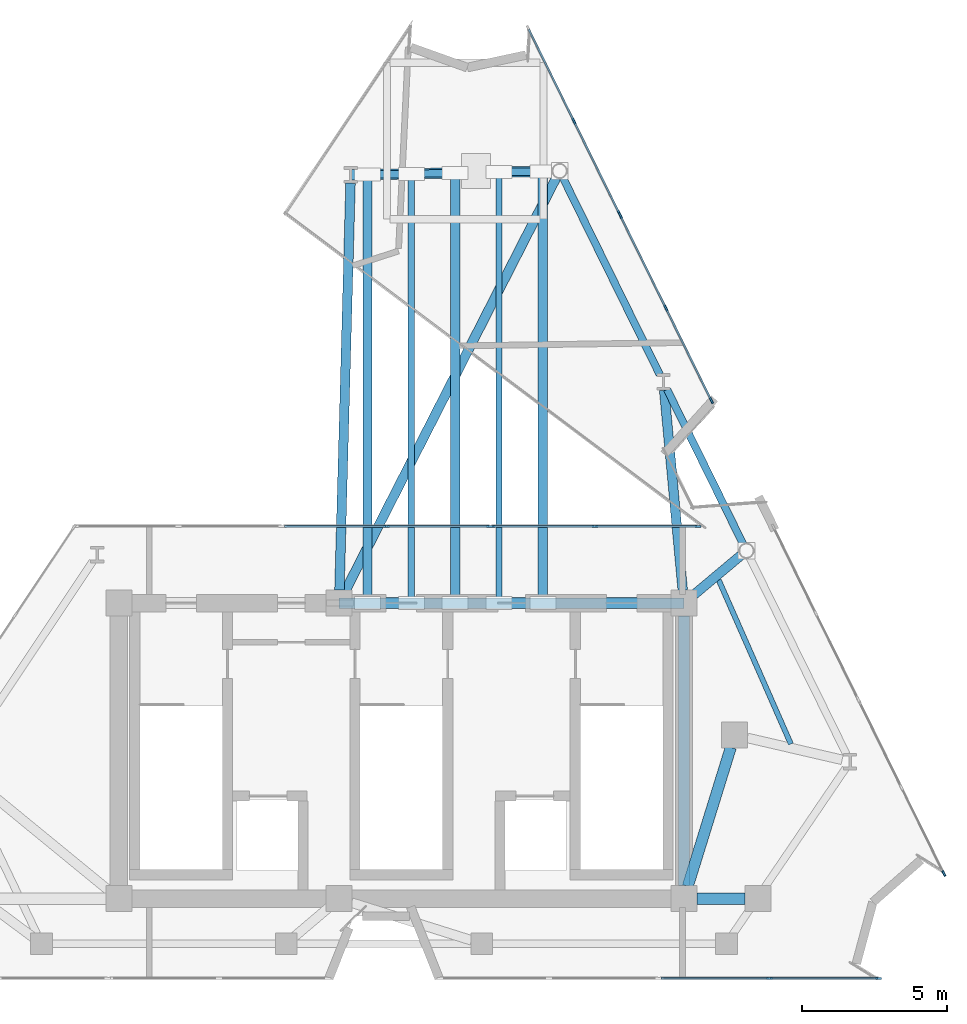
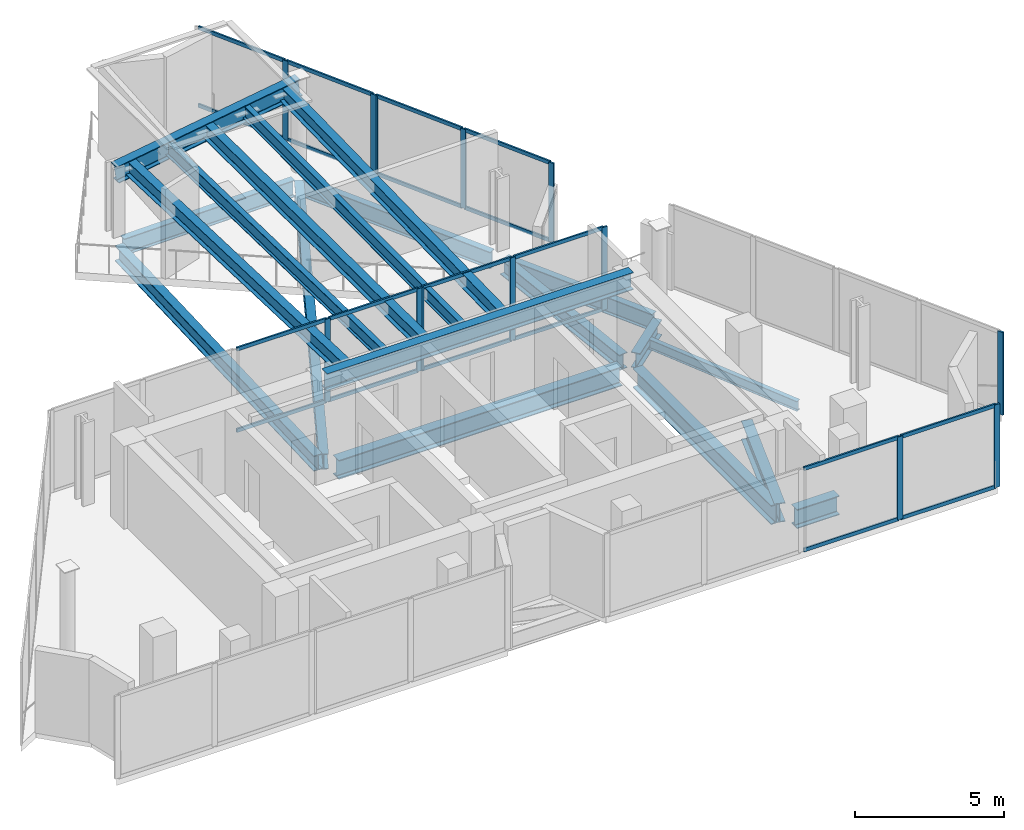
# One storey, part 3 of 7: 38 members, 14 beams, 6 elements without a shape of their own.
"""IFC4 building model written with IfcOpenShell, lengths in metres."""

import ifcopenshell
import ifcopenshell.guid

model = None  # the IFC model being written
_history = None  # IfcOwnerHistory: only IFC2X3 demands one
_inside = {}  # id of a spatial element -> (the spatial element, [elements in it])
_under = {}  # id of a project, library or spatial element -> (it, [spatial elements below it])
_declared = {}  # id of a project -> (the project, [libraries it declares])
_typed = {}  # id of a type object -> (the type object, [elements of that type])
_made_of = {}  # id of a material, layer set ... -> (it, [elements and type objects made of it])


def new_model(schema):
    """Start an empty IFC model of exactly this schema.

    Asked for "IFC4X3", IfcOpenShell would pick the latest addendum, in which some entities
    have other attributes; the version numbers below select the first issue.
    IFC2X3 requires an IfcOwnerHistory on every rooted entity: one is made here for all.
    """
    global model, _history
    if schema == "IFC4X3":
        model = ifcopenshell.file(schema_version=(4, 3, 0, 0))
    else:
        model = ifcopenshell.file(schema=schema)
    _inside.clear()
    _under.clear()
    _declared.clear()
    _typed.clear()
    _made_of.clear()
    _history = None
    if model.schema == "IFC2X3":
        org = make("IfcOrganization", Name="unknown")
        user = make(
            "IfcPersonAndOrganization",
            ThePerson=make("IfcPerson", FamilyName="unknown"),
            TheOrganization=org,
        )
        app = make(
            "IfcApplication",
            ApplicationDeveloper=org,
            Version="unknown",
            ApplicationFullName="unknown",
            ApplicationIdentifier="unknown",
        )
        _history = make(
            "IfcOwnerHistory",
            OwningUser=user,
            OwningApplication=app,
            ChangeAction="ADDED",
            CreationDate=0,
        )
    return model


def make(cls, **values):
    """One entity of the class cls with the attributes given. An attribute that is None is left unset."""
    return model.create_entity(
        cls, **{name: value for name, value in values.items() if value is not None}
    )


def rooted(cls, **values):
    """An entity with a GlobalId (a new one), such as an element, a storey or a relation."""
    return make(cls, GlobalId=ifcopenshell.guid.new(), OwnerHistory=_history, **values)


def si_unit(unit_type, name, prefix=None):
    """IfcSIUnit, for example si_unit("LENGTHUNIT", "METRE", prefix="MILLI")."""
    return make("IfcSIUnit", UnitType=unit_type, Prefix=prefix, Name=name)


def assignment(units):
    """IfcUnitAssignment: the units of a project."""
    return None if units is None else make("IfcUnitAssignment", Units=units)


def point(xyz):
    """IfcCartesianPoint."""
    return None if xyz is None else make("IfcCartesianPoint", Coordinates=xyz)


def direction(xyz):
    """IfcDirection."""
    return None if xyz is None else make("IfcDirection", DirectionRatios=xyz)


def frame(location, z_axis=None, x_axis=None):
    """IfcAxis2Placement3D, a coordinate frame: its origin and axes. An axis left out is left unset."""
    return make(
        "IfcAxis2Placement3D",
        Location=point(location),
        Axis=direction(z_axis),
        RefDirection=direction(x_axis),
    )


def frame_2d(location, x_axis=None):
    """IfcAxis2Placement2D, a coordinate frame in the plane: its origin and x axis."""
    return make(
        "IfcAxis2Placement2D", Location=point(location), RefDirection=direction(x_axis)
    )


def origin():
    """The frame at (0, 0, 0) with its axes left unset."""
    return frame((0.0, 0.0, 0.0))


def origin_2d():
    """The frame at (0, 0) in the plane with its x axis left unset."""
    return frame_2d((0.0, 0.0))


def place(relative_to, where):
    """IfcLocalPlacement: puts the frame where relative to a parent placement (None: the world)."""
    return make(
        "IfcLocalPlacement", PlacementRelTo=relative_to, RelativePlacement=where
    )


def context(
    kind, dimensions, precision=None, world=None, true_north=None, identifier=None
):
    """IfcGeometricRepresentationContext, for example the 3D "Model" context."""
    return make(
        "IfcGeometricRepresentationContext",
        ContextIdentifier=identifier,
        ContextType=kind,
        CoordinateSpaceDimension=dimensions,
        Precision=precision,
        WorldCoordinateSystem=world,
        TrueNorth=true_north,
    )


def subcontext(parent, identifier, kind, view, scale=None):
    """IfcGeometricRepresentationSubContext, for example "Body" below "Model"."""
    return make(
        "IfcGeometricRepresentationSubContext",
        ContextIdentifier=identifier,
        ContextType=kind,
        ParentContext=parent,
        TargetScale=scale,
        TargetView=view,
    )


def project(units=None, contexts=None):
    """IfcProject with its units and contexts."""
    return rooted(
        "IfcProject",
        Name="project",
        RepresentationContexts=contexts,
        UnitsInContext=assignment(units),
    )


def spatial(cls, under=None, at=None, **own):
    """A site, building, storey or space (cls), placed at a placement, below another one or the project."""
    s = rooted(cls, ObjectPlacement=at, **own)
    if under is not None:
        _under.setdefault(under.id(), (under, []))[1].append(s)
    return s


def profile(cls, at=None, kind="AREA", **sizes):
    """A parametric profile (cls). Its sizes go by their IFC names, for example OverallWidth=200.0."""
    return make(cls, ProfileType=kind, Position=at, **sizes)


def rectangle(**sizes):
    """IfcRectangleProfileDef."""
    return profile("IfcRectangleProfileDef", **sizes)


def i_section(**sizes):
    """IfcIShapeProfileDef."""
    return profile("IfcIShapeProfileDef", **sizes)


def extrude(swept, where, along, depth):
    """IfcExtrudedAreaSolid: the profile swept, set in the frame where, extruded along a direction by depth."""
    return make(
        "IfcExtrudedAreaSolid",
        SweptArea=swept,
        Position=where,
        ExtrudedDirection=direction(along),
        Depth=depth,
    )


def shape(context_of_items, identifier, shape_type, items):
    """IfcShapeRepresentation: the items that make up one representation, for example the "Body"."""
    return make(
        "IfcShapeRepresentation",
        ContextOfItems=context_of_items,
        RepresentationIdentifier=identifier,
        RepresentationType=shape_type,
        Items=items,
    )


def material(Name=None, Category=None):
    """IfcMaterial."""
    return make("IfcMaterial", Name=Name, Category=Category)


def layer(
    of_material, thickness, ventilated=None, Name=None, Category=None, Priority=None
):
    """IfcMaterialLayer: one layer of a wall or slab, of a material (None: an air gap)."""
    return make(
        "IfcMaterialLayer",
        Material=of_material,
        LayerThickness=thickness,
        IsVentilated=ventilated,
        Name=Name,
        Category=Category,
        Priority=Priority,
    )


def layer_set(layers, Name=None):
    """IfcMaterialLayerSet."""
    return make("IfcMaterialLayerSet", MaterialLayers=layers, LayerSetName=Name)


def material_profile(
    of_material, cross_section, Name=None, Category=None, Priority=None
):
    """IfcMaterialProfile: a cross section and its material."""
    return make(
        "IfcMaterialProfile",
        Name=Name,
        Material=of_material,
        Profile=cross_section,
        Priority=Priority,
        Category=Category,
    )


def profile_set(profiles, Name=None, composite=None):
    """IfcMaterialProfileSet."""
    return make(
        "IfcMaterialProfileSet",
        Name=Name,
        MaterialProfiles=profiles,
        CompositeProfile=composite,
    )


def made_of(thing, what):
    """Note that an element or type object is made of a material, layer set ...; save() writes the relation."""
    if what is not None:
        _made_of.setdefault(what.id(), (what, []))[1].append(thing)
    return thing


def type_object(cls, material=None, **own):
    """A type object (cls), such as IfcWallType, which elements share."""
    return made_of(rooted(cls, **own), material)


def element(
    cls,
    number,
    at=None,
    inside=None,
    cuts=None,
    type_object=None,
    material=None,
    context=None,
    identifier="Body",
    shape_type=None,
    held_by="IfcProductDefinitionShape",
    body=None,
    shapes=None,
    **own,
):
    """One element of the class cls, such as IfcWall. Its Tag is "e" and its number.

    at: its placement. inside: the storey or other place that contains it. cuts: it is an
    opening in that element (IfcRelVoidsElement). A single representation is given by context,
    identifier, shape_type and body (its items); several are given by shapes. held_by: the class
    of the entity that holds the representations. save() writes the other relations.
    """
    e = rooted(cls, Tag="e%d" % number, ObjectPlacement=at, **own)
    if body is not None:
        shapes = [shape(context, identifier, shape_type, body)]
    if shapes is not None:
        e.Representation = make(held_by, Representations=shapes)
    if inside is not None:
        _inside.setdefault(inside.id(), (inside, []))[1].append(e)
    if cuts is not None:
        rooted(
            "IfcRelVoidsElement", RelatingBuildingElement=cuts, RelatedOpeningElement=e
        )
    if type_object is not None:
        _typed.setdefault(type_object.id(), (type_object, []))[1].append(e)
    return made_of(e, material)


def aggregate(whole, parts):
    """IfcRelAggregates: a whole, such as a stair, and the parts it consists of."""
    return rooted("IfcRelAggregates", RelatingObject=whole, RelatedObjects=parts)


def save(model, path):
    """Write the relations noted so far, then the file.

    IfcRelAggregates (storeys below a building ...), IfcRelContainedInSpatialStructure (elements
    in a storey), IfcRelDefinesByType, IfcRelAssociatesMaterial and IfcRelDeclares: one each for
    every whole, place, type object, material and project.
    """
    for whole, parts in _under.values():
        aggregate(whole, parts)
    for where, things in _inside.values():
        rooted(
            "IfcRelContainedInSpatialStructure",
            RelatedElements=things,
            RelatingStructure=where,
        )
    for kind, things in _typed.values():
        rooted("IfcRelDefinesByType", RelatedObjects=things, RelatingType=kind)
    for what, things in _made_of.values():
        rooted("IfcRelAssociatesMaterial", RelatedObjects=things, RelatingMaterial=what)
    for by, libraries in _declared.values():
        rooted("IfcRelDeclares", RelatingContext=by, RelatedDefinitions=libraries)
    model.write(path)


model = new_model("IFC4")

# Units and contexts
model_context = context("Model", 3, precision=1e-05, world=origin(), true_north=direction((0.0, 1.0)))
body_context = subcontext(model_context, "Body", "Model", "MODEL_VIEW")
ifc_project = project(units=[si_unit("LENGTHUNIT", "METRE"), si_unit("AREAUNIT", "SQUARE_METRE"), si_unit("VOLUMEUNIT", "CUBIC_METRE"), si_unit("PLANEANGLEUNIT", "RADIAN"), si_unit("MASSUNIT", "GRAM", prefix="KILO")], contexts=[model_context])

# Site, building, storey
site_placement = place(None, origin())
site = spatial("IfcSite", under=ifc_project, at=site_placement, CompositionType="ELEMENT")
building_placement = place(site_placement, origin())
building = spatial("IfcBuilding", under=site, at=building_placement, Name="Almagre Mirador Tower", CompositionType="ELEMENT")
storey_placement = place(building_placement, frame((0.0, 0.0, 318.5)))
storey = spatial("IfcBuildingStorey", under=building, at=storey_placement, Name="L82", CompositionType="ELEMENT", Elevation=318.5)

# Beams
ifc_material_1 = material(Name="Steel ASTM A992 Grade 50", Category="steel")
ifc_material_profile_1 = material_profile(ifc_material_1, i_section(OverallWidth=0.178955078125, OverallDepth=0.408935546875, WebThickness=0.0087890625, FlangeThickness=0.014404296875, FilletRadius=0.013916015625, at=origin_2d()), Name="W16X45")
ifc_profile_set_1 = profile_set([ifc_material_profile_1], Name="Steel ASTM A992 Grade 50")
beam_type_1 = type_object("IfcBeamType", Name="BM-JST-W16X45", PredefinedType="JOIST", material=ifc_profile_set_1)
beam_1_placement = place(storey_placement, frame((50.740966796875, 9.88671875, -0.50439453125), z_axis=(-0.402759773965, 0.915305721863, 0.0), x_axis=(-0.915305721863, -0.402759773965, 0.0)))
element("IfcBeam", 1, at=beam_1_placement, inside=storey, type_object=beam_type_1, Name="L82 secondary floor joist PC05-PC06.2", PredefinedType="JOIST", context=body_context, shape_type="SweptSolid", body=[
    extrude(i_section(OverallWidth=0.178955078125, OverallDepth=0.408935546875, WebThickness=0.0087890625, FlangeThickness=0.014404296875, FilletRadius=0.013916015625, at=origin_2d()), origin(), (0.0, 0.0, 1.0), 6.1865234375),
])
ifc_material_2 = material(Name="Steel ASTM A992 Grade 50", Category="steel")
ifc_material_profile_2 = material_profile(ifc_material_2, i_section(OverallWidth=0.256103515625, OverallDepth=0.693115234375, WebThickness=0.014404296875, FlangeThickness=0.023681640625, FilletRadius=0.02197265625, at=origin_2d()), Name="W27X114")
ifc_profile_set_2 = profile_set([ifc_material_profile_2], Name="Steel ASTM A992 Grade 50")
beam_type_2 = type_object("IfcBeamType", Name="BM-SPN-W27X114", PredefinedType="SPANDREL", material=ifc_profile_set_2)
beam_2_placement = place(storey_placement, frame((49.10791015625, 16.75537109375, -0.646484375), z_axis=(-0.441280885173, 0.897369032439, 0.0), x_axis=(-0.897369032439, -0.441280885173, 0.0)))
element("IfcBeam", 2, at=beam_2_placement, inside=storey, type_object=beam_type_2, Name="L82 perimeter spandrel beam PC06-PC07", PredefinedType="SPANDREL", context=body_context, shape_type="SweptSolid", body=[
    extrude(i_section(OverallWidth=0.256103515625, OverallDepth=0.693115234375, WebThickness=0.014404296875, FlangeThickness=0.023681640625, FilletRadius=0.02197265625, at=origin_2d()), origin(), (0.0, 0.0, 1.0), 5.985107421875),
])
beam_3_placement = place(storey_placement, frame((46.215087890625, 22.6376953125, -0.646484375), z_axis=(-0.441260346392, 0.897379132085, 0.0), x_axis=(-0.897379132085, -0.441260346392, 0.0)))
element("IfcBeam", 3, at=beam_3_placement, inside=storey, type_object=beam_type_2, Name="L82 perimeter spandrel beam PC07-PC08", PredefinedType="SPANDREL", context=body_context, shape_type="SweptSolid", body=[
    extrude(i_section(OverallWidth=0.256103515625, OverallDepth=0.693115234375, WebThickness=0.014404296875, FlangeThickness=0.023681640625, FilletRadius=0.02197265625, at=origin_2d()), origin(), (0.0, 0.0, 1.0), 7.607666015625),
])
beam_4_placement = place(storey_placement, frame((42.541015625, 29.657958984375, -0.646484375), z_axis=(-0.999822125959, -0.018860446513, 0.0), x_axis=(0.018860446513, -0.999822125959, 0.0)))
element("IfcBeam", 4, at=beam_4_placement, inside=storey, type_object=beam_type_2, Name="L82 perimeter spandrel beam PC08-PC09", PredefinedType="SPANDREL", context=body_context, shape_type="SweptSolid", body=[
    extrude(i_section(OverallWidth=0.256103515625, OverallDepth=0.693115234375, WebThickness=0.014404296875, FlangeThickness=0.023681640625, FilletRadius=0.02197265625, at=origin_2d()), origin(), (0.0, 0.0, 1.0), 6.705322265625),
])
ifc_material_3 = material(Name="Steel ASTM A992 Grade 50", Category="steel")
ifc_material_profile_3 = material_profile(ifc_material_3, i_section(OverallWidth=0.330078125, OverallDepth=0.635009765625, WebThickness=0.017822265625, FlangeThickness=0.031005859375, FilletRadius=0.02001953125, at=origin_2d()), Name="W24X162")
ifc_profile_set_3 = profile_set([ifc_material_profile_3], Name="Steel ASTM A992 Grade 50")
beam_type_3 = type_object("IfcBeamType", Name="BM-STL-W24X162", PredefinedType="BEAM", material=ifc_profile_set_3)
beam_5_placement = place(storey_placement, frame((49.03662109375, 16.41650390625, -0.617431640625), z_axis=(-0.766153543196, -0.642657566865, 0.0), x_axis=(0.642657566865, -0.766153543196, 0.0)))
element("IfcBeam", 5, at=beam_5_placement, inside=storey, type_object=beam_type_3, Name="L82 radial floor girder PC06-CC6", PredefinedType="BEAM", context=body_context, shape_type="SweptSolid", body=[
    extrude(i_section(OverallWidth=0.330078125, OverallDepth=0.635009765625, WebThickness=0.017822265625, FlangeThickness=0.031005859375, FilletRadius=0.02001953125, at=origin_2d()), origin(), (0.0, 0.0, 1.0), 2.14306640625),
])
beam_6_placement = place(storey_placement, frame((46.367431640625, 22.09814453125, -0.617431640625), z_axis=(0.092479594249, -0.995714579911, 0.0), x_axis=(0.995714579911, 0.092479594249, 0.0)))
element("IfcBeam", 6, at=beam_6_placement, inside=storey, type_object=beam_type_3, Name="L82 radial floor girder PC07-CC6", PredefinedType="BEAM", context=body_context, shape_type="SweptSolid", body=[
    extrude(i_section(OverallWidth=0.330078125, OverallDepth=0.635009765625, WebThickness=0.017822265625, FlangeThickness=0.031005859375, FilletRadius=0.02001953125, at=origin_2d()), origin(), (0.0, 0.0, 1.0), 6.929931640625),
])
beam_7_placement = place(storey_placement, frame((42.660888671875, 29.466064453125, -0.617431640625), z_axis=(-0.454605133062, -0.890693085745, 0.0), x_axis=(0.890693085745, -0.454605133062, 0.0)))
element("IfcBeam", 7, at=beam_7_placement, inside=storey, type_object=beam_type_3, Name="L82 radial floor girder PC08-CC5", PredefinedType="BEAM", context=body_context, shape_type="SweptSolid", body=[
    extrude(i_section(OverallWidth=0.330078125, OverallDepth=0.635009765625, WebThickness=0.017822265625, FlangeThickness=0.031005859375, FilletRadius=0.02001953125, at=origin_2d()), origin(), (0.0, 0.0, 1.0), 16.072021484375),
])
beam_8_placement = place(storey_placement, frame((35.544189453125, 29.2412109375, -0.617431640625), z_axis=(-0.027200697889, -0.999629992564, 0.0), x_axis=(0.999629992564, -0.027200697889, 0.0)))
element("IfcBeam", 8, at=beam_8_placement, inside=storey, type_object=beam_type_3, Name="L82 radial floor girder PC09-CC5", PredefinedType="BEAM", context=body_context, shape_type="SweptSolid", body=[
    extrude(i_section(OverallWidth=0.330078125, OverallDepth=0.635009765625, WebThickness=0.017822265625, FlangeThickness=0.031005859375, FilletRadius=0.02001953125, at=origin_2d()), origin(), (0.0, 0.0, 1.0), 14.046630859375),
])
ifc_material_4 = material(Name="Steel ASTM A992 Grade 50", Category="steel")
ifc_material_profile_4 = material_profile(ifc_material_4, i_section(OverallWidth=0.35791015625, OverallDepth=0.7060546875, WebThickness=0.018310546875, FlangeThickness=0.0302734375, FilletRadius=0.02197265625, at=origin_2d()), Name="W27X178")
ifc_profile_set_4 = profile_set([ifc_material_profile_4], Name="Steel ASTM A992 Grade 50")
beam_type_4 = type_object("IfcBeamType", Name="BM-STL-W27X178", PredefinedType="BEAM", material=ifc_profile_set_4)
beam_9_placement = place(storey_placement, frame((35.14990234375, 14.75, 3.050048828125), z_axis=(1.0, 0.0, 0.0), x_axis=(0.0, 1.0, 0.0)))
element("IfcBeam", 9, at=beam_9_placement, inside=storey, type_object=beam_type_4, Name="Crown core eave support girder BG-10", PredefinedType="BEAM", context=body_context, shape_type="SweptSolid", body=[
    extrude(i_section(OverallWidth=0.35791015625, OverallDepth=0.7060546875, WebThickness=0.018310546875, FlangeThickness=0.0302734375, FilletRadius=0.02197265625, at=origin_2d()), origin(), (0.0, 0.0, 1.0), 11.900146484375),
])
beam_10_placement = place(storey_placement, frame((35.552001953125, 29.52587890625, 2.449951171875), z_axis=(0.99034214469, 0.018714810239, 0.137376098098), x_axis=(-0.018893944506, 0.999821493498, 0.0)))
element("IfcBeam", 10, at=beam_10_placement, inside=storey, type_object=beam_type_4, Name="Crown north ridge support girder BG-10", PredefinedType="BEAM", context=body_context, shape_type="SweptSolid", body=[
    extrude(i_section(OverallWidth=0.35791015625, OverallDepth=0.7060546875, WebThickness=0.018310546875, FlangeThickness=0.0302734375, FilletRadius=0.02197265625, at=origin_2d()), origin(), (0.0, 0.0, 1.0), 7.279296875),
])
ifc_material_5 = material(Name="Steel ASTM A992 Grade 50", Category="steel")
ifc_material_profile_5 = material_profile(ifc_material_5, i_section(OverallWidth=0.384033203125, OverallDepth=0.784912109375, WebThickness=0.019775390625, FlangeThickness=0.033447265625, FilletRadius=0.02392578125, at=origin_2d()), Name="W30X211")
ifc_profile_set_5 = profile_set([ifc_material_profile_5], Name="Steel ASTM A992 Grade 50")
beam_type_5 = type_object("IfcBeamType", Name="BM-STL-W30X211", PredefinedType="BEAM", material=ifc_profile_set_5)
beam_11_placement = place(storey_placement, frame((35.60009765625, 14.75, -0.6923828125), z_axis=(1.0, 0.0, 0.0), x_axis=(0.0, 1.0, 0.0)))
element("IfcBeam", 11, at=beam_11_placement, inside=storey, type_object=beam_type_5, Name="L82 core tie girder CC5-CC6", PredefinedType="BEAM", context=body_context, shape_type="SweptSolid", body=[
    extrude(i_section(OverallWidth=0.384033203125, OverallDepth=0.784912109375, WebThickness=0.019775390625, FlangeThickness=0.033447265625, FilletRadius=0.02392578125, at=origin_2d()), origin(), (0.0, 0.0, 1.0), 11.0),
])
beam_12_placement = place(storey_placement, frame((47.050048828125, 5.0, -0.6923828125), z_axis=(0.0, 1.0, 0.0), x_axis=(-1.0, 0.0, 0.0)))
element("IfcBeam", 12, at=beam_12_placement, inside=storey, type_object=beam_type_5, Name="L82 core tie girder CC3-CC6", PredefinedType="BEAM", context=body_context, shape_type="SweptSolid", body=[
    extrude(i_section(OverallWidth=0.384033203125, OverallDepth=0.784912109375, WebThickness=0.019775390625, FlangeThickness=0.033447265625, FilletRadius=0.02392578125, at=origin_2d()), origin(), (0.0, 0.0, 1.0), 9.300048828125),
])
beam_13_placement = place(storey_placement, frame((49.14990234375, 4.550048828125, -0.6923828125), z_axis=(-1.0, 0.0, 0.0), x_axis=(0.0, -1.0, 0.0)))
element("IfcBeam", 13, at=beam_13_placement, inside=storey, type_object=beam_type_5, Name="L82 core tie girder MC2-CC3", PredefinedType="BEAM", context=body_context, shape_type="SweptSolid", body=[
    extrude(i_section(OverallWidth=0.384033203125, OverallDepth=0.784912109375, WebThickness=0.019775390625, FlangeThickness=0.033447265625, FilletRadius=0.02392578125, at=origin_2d()), origin(), (0.0, 0.0, 1.0), 1.64990234375),
])
beam_14_placement = place(storey_placement, frame((48.6669921875, 9.77001953125, -0.6923828125), z_axis=(-0.295912212866, -0.955215139263, 0.0), x_axis=(0.955215139263, -0.295912212866, 0.0)))
element("IfcBeam", 14, at=beam_14_placement, inside=storey, type_object=beam_type_5, Name="L82 core tie girder MC3-CC3", PredefinedType="BEAM", context=body_context, shape_type="SweptSolid", body=[
    extrude(i_section(OverallWidth=0.384033203125, OverallDepth=0.784912109375, WebThickness=0.019775390625, FlangeThickness=0.033447265625, FilletRadius=0.02392578125, at=origin_2d()), origin(), (0.0, 0.0, 1.0), 5.0146484375),
])

# Curtain wall, members
ifc_material_6 = material(Name="Black anodized aluminium", Category="aluminium")
ifc_layer = layer(ifc_material_6, 0.2099609375)
ifc_layer_set = layer_set([ifc_layer], Name="Black anodized aluminium")
curtain_wall_type = type_object("IfcCurtainWallType", Name="CW-CRN-SYS", PredefinedType="NOTDEFINED", material=ifc_layer_set)
curtain_wall_1_placement = place(storey_placement, origin())
curtain_wall_1 = element("IfcCurtainWall", 15, at=curtain_wall_1_placement, inside=storey, type_object=curtain_wall_type, Name="L82 curtain wall run 04", PredefinedType="NOTDEFINED")
ifc_material_7 = material(Name="Black anodized aluminium", Category="aluminium")
ifc_material_profile_6 = material_profile(ifc_material_7, rectangle(XDim=0.070068359375, YDim=0.2099609375, at=origin_2d()), Name="CWM70X210")
ifc_profile_set_6 = profile_set([ifc_material_profile_6], Name="Black anodized aluminium")
member_type_1 = type_object("IfcMemberType", Name="MBR-CWM70X210", PredefinedType="MULLION", material=ifc_profile_set_6)
member_1_placement = place(storey_placement, frame((36.792236328125, 17.39990234375, 0.0), z_axis=(0.0, 0.0, 1.0), x_axis=(0.0, 1.0, 0.0)))
member_1 = element("IfcMember", 16, at=member_1_placement, type_object=member_type_1, Name="CW-6 mullion 2", PredefinedType="MULLION", context=body_context, shape_type="SweptSolid", body=[
    extrude(rectangle(XDim=0.070068359375, YDim=0.2099609375, at=origin_2d()), origin(), (0.0, 0.0, 1.0), 3.39990234375),
])
member_2_placement = place(storey_placement, frame((40.349853515625, 17.39990234375, 0.0), z_axis=(0.0, 0.0, 1.0), x_axis=(0.0, 1.0, 0.0)))
member_2 = element("IfcMember", 17, at=member_2_placement, type_object=member_type_1, Name="CW-6 mullion 3", PredefinedType="MULLION", context=body_context, shape_type="SweptSolid", body=[
    extrude(rectangle(XDim=0.070068359375, YDim=0.2099609375, at=origin_2d()), origin(), (0.0, 0.0, 1.0), 3.39990234375),
])

curtain_wall_2_placement = place(storey_placement, origin())
curtain_wall_2 = element("IfcCurtainWall", 18, at=curtain_wall_2_placement, inside=storey, type_object=curtain_wall_type, Name="L82 curtain wall run 05", PredefinedType="NOTDEFINED")
member_3_placement = place(storey_placement, frame((40.419921875, 17.39990234375, 0.0), z_axis=(0.0, 0.0, 1.0), x_axis=(0.0, 1.0, 0.0)))
member_3 = element("IfcMember", 19, at=member_3_placement, type_object=member_type_1, Name="CW-6 mullion 1", PredefinedType="MULLION", context=body_context, shape_type="SweptSolid", body=[
    extrude(rectangle(XDim=0.070068359375, YDim=0.2099609375, at=origin_2d()), origin(), (0.0, 0.0, 1.0), 3.39990234375),
])
member_4_placement = place(storey_placement, frame((43.977294921875, 17.39990234375, 0.0), z_axis=(0.0, 0.0, 1.0), x_axis=(0.0, 1.0, 0.0)))
member_4 = element("IfcMember", 20, at=member_4_placement, type_object=member_type_1, Name="CW-6 mullion 2", PredefinedType="MULLION", context=body_context, shape_type="SweptSolid", body=[
    extrude(rectangle(XDim=0.070068359375, YDim=0.2099609375, at=origin_2d()), origin(), (0.0, 0.0, 1.0), 3.39990234375),
])
member_5_placement = place(storey_placement, frame((47.534912109375, 17.39990234375, 0.0), z_axis=(0.0, 0.0, 1.0), x_axis=(0.0, 1.0, 0.0)))
member_5 = element("IfcMember", 21, at=member_5_placement, type_object=member_type_1, Name="CW-6 mullion 3", PredefinedType="MULLION", context=body_context, shape_type="SweptSolid", body=[
    extrude(rectangle(XDim=0.070068359375, YDim=0.2099609375, at=origin_2d()), origin(), (0.0, 0.0, 1.0), 3.39990234375),
])

curtain_wall_3_placement = place(storey_placement, origin())
curtain_wall_3 = element("IfcCurtainWall", 22, at=curtain_wall_3_placement, inside=storey, type_object=curtain_wall_type, Name="L82 curtain wall run 06", PredefinedType="NOTDEFINED")
member_6_placement = place(storey_placement, frame((43.251708984375, 31.384521484375, 0.0), z_axis=(0.0, 0.0, 1.0), x_axis=(0.897355924659, 0.441307539568, 0.0)))
member_6 = element("IfcMember", 23, at=member_6_placement, type_object=member_type_1, Name="CW-6 mullion 2", PredefinedType="MULLION", context=body_context, shape_type="SweptSolid", body=[
    extrude(rectangle(XDim=0.070068359375, YDim=0.2099609375, at=origin_2d()), origin(), (0.0, 0.0, 1.0), 3.2509765625),
])
member_7_placement = place(storey_placement, frame((44.822998046875, 28.189453125, 0.0), z_axis=(0.0, 0.0, 1.0), x_axis=(0.897355924659, 0.441307539568, 0.0)))
member_7 = element("IfcMember", 24, at=member_7_placement, type_object=member_type_1, Name="CW-6 mullion 3", PredefinedType="MULLION", context=body_context, shape_type="SweptSolid", body=[
    extrude(rectangle(XDim=0.070068359375, YDim=0.2099609375, at=origin_2d()), origin(), (0.0, 0.0, 1.0), 3.2509765625),
])

curtain_wall_4_placement = place(storey_placement, origin())
curtain_wall_4 = element("IfcCurtainWall", 25, at=curtain_wall_4_placement, inside=storey, type_object=curtain_wall_type, Name="L82 curtain wall run 07", PredefinedType="NOTDEFINED")
member_8_placement = place(storey_placement, frame((44.85400390625, 28.126708984375, 0.0), z_axis=(0.0, 0.0, 1.0), x_axis=(0.897355924659, 0.441307539568, 0.0)))
member_8 = element("IfcMember", 26, at=member_8_placement, type_object=member_type_1, Name="CW-6 mullion 1", PredefinedType="MULLION", context=body_context, shape_type="SweptSolid", body=[
    extrude(rectangle(XDim=0.070068359375, YDim=0.2099609375, at=origin_2d()), origin(), (0.0, 0.0, 1.0), 3.2509765625),
])
member_9_placement = place(storey_placement, frame((46.42529296875, 24.931640625, 0.0), z_axis=(0.0, 0.0, 1.0), x_axis=(0.897355924659, 0.441307539568, 0.0)))
member_9 = element("IfcMember", 27, at=member_9_placement, type_object=member_type_1, Name="CW-6 mullion 2", PredefinedType="MULLION", context=body_context, shape_type="SweptSolid", body=[
    extrude(rectangle(XDim=0.070068359375, YDim=0.2099609375, at=origin_2d()), origin(), (0.0, 0.0, 1.0), 3.2509765625),
])
member_10_placement = place(storey_placement, frame((47.996337890625, 21.736572265625, 0.0), z_axis=(0.0, 0.0, 1.0), x_axis=(0.897355924659, 0.441307539568, 0.0)))
member_10 = element("IfcMember", 28, at=member_10_placement, type_object=member_type_1, Name="CW-6 mullion 3", PredefinedType="MULLION", context=body_context, shape_type="SweptSolid", body=[
    extrude(rectangle(XDim=0.070068359375, YDim=0.2099609375, at=origin_2d()), origin(), (0.0, 0.0, 1.0), 3.2509765625),
])

# Curtain wall, member
curtain_wall_5_placement = place(storey_placement, origin())
curtain_wall_5 = element("IfcCurtainWall", 29, at=curtain_wall_5_placement, inside=storey, type_object=curtain_wall_type, Name="L82 curtain wall run 09", PredefinedType="NOTDEFINED")
member_11_placement = place(storey_placement, frame((56.01953125, 5.420654296875, 0.0), z_axis=(0.0, 0.0, 1.0), x_axis=(0.897354428441, 0.441310581967, 0.0)))
member_11 = element("IfcMember", 30, at=member_11_placement, type_object=member_type_1, Name="CW-6 mullion 3", PredefinedType="MULLION", context=body_context, shape_type="SweptSolid", body=[
    extrude(rectangle(XDim=0.070068359375, YDim=0.2099609375, at=origin_2d()), origin(), (0.0, 0.0, 1.0), 3.39990234375),
])
aggregate(curtain_wall_5, [member_11])

# Curtain wall, members
curtain_wall_6_placement = place(storey_placement, origin())
curtain_wall_6 = element("IfcCurtainWall", 31, at=curtain_wall_6_placement, inside=storey, type_object=curtain_wall_type, Name="L82 curtain wall run 10", PredefinedType="NOTDEFINED")
member_12_placement = place(storey_placement, frame((53.764892578125, 1.800048828125, 0.0), z_axis=(0.0, 0.0, 1.0), x_axis=(0.0, -1.0, 0.0)))
member_12 = element("IfcMember", 32, at=member_12_placement, type_object=member_type_1, Name="CW-6 mullion 1", PredefinedType="MULLION", context=body_context, shape_type="SweptSolid", body=[
    extrude(rectangle(XDim=0.070068359375, YDim=0.2099609375, at=origin_2d()), origin(), (0.0, 0.0, 1.0), 3.39990234375),
])
member_13_placement = place(storey_placement, frame((50.0, 1.800048828125, 0.0), z_axis=(0.0, 0.0, 1.0), x_axis=(0.0, -1.0, 0.0)))
member_13 = element("IfcMember", 33, at=member_13_placement, type_object=member_type_1, Name="CW-6 mullion 2", PredefinedType="MULLION", context=body_context, shape_type="SweptSolid", body=[
    extrude(rectangle(XDim=0.070068359375, YDim=0.2099609375, at=origin_2d()), origin(), (0.0, 0.0, 1.0), 3.39990234375),
])

# Member
ifc_material_8 = material(Name="Black anodized aluminium", Category="aluminium")
ifc_material_profile_7 = material_profile(ifc_material_8, rectangle(XDim=0.06494140625, YDim=0.14990234375, at=origin_2d()), Name="CWT65X150")
ifc_profile_set_7 = profile_set([ifc_material_profile_7], Name="Black anodized aluminium")
member_type_2 = type_object("IfcMemberType", Name="MBR-CWT65X150", PredefinedType="USERDEFINED", material=ifc_profile_set_7)
member_14_placement = place(storey_placement, frame((33.26953125, 17.39990234375, 0.032470703125), z_axis=(1.0, 0.0, 0.0), x_axis=(0.0, 1.0, 0.0)))
member_14 = element("IfcMember", 34, at=member_14_placement, type_object=member_type_2, Name="CW-6 transom 1.1", ObjectType="TRANSOM", PredefinedType="USERDEFINED", context=body_context, shape_type="SweptSolid", body=[
    extrude(rectangle(XDim=0.06494140625, YDim=0.14990234375, at=origin_2d()), origin(), (0.0, 0.0, 1.0), 3.487548828125),
])

member_15_placement = place(storey_placement, frame((33.26953125, 17.39990234375, 3.367431640625), z_axis=(1.0, 0.0, 0.0), x_axis=(0.0, 1.0, 0.0)))
member_15 = element("IfcMember", 35, at=member_15_placement, type_object=member_type_2, Name="CW-6 transom 1.2", ObjectType="TRANSOM", PredefinedType="USERDEFINED", context=body_context, shape_type="SweptSolid", body=[
    extrude(rectangle(XDim=0.06494140625, YDim=0.14990234375, at=origin_2d()), origin(), (0.0, 0.0, 1.0), 3.487548828125),
])

member_16_placement = place(storey_placement, frame((36.8271484375, 17.39990234375, 0.032470703125), z_axis=(1.0, 0.0, 0.0), x_axis=(0.0, 1.0, 0.0)))
member_16 = element("IfcMember", 36, at=member_16_placement, type_object=member_type_2, Name="CW-6 transom 2.1", ObjectType="TRANSOM", PredefinedType="USERDEFINED", context=body_context, shape_type="SweptSolid", body=[
    extrude(rectangle(XDim=0.06494140625, YDim=0.14990234375, at=origin_2d()), origin(), (0.0, 0.0, 1.0), 3.487548828125),
])

member_17_placement = place(storey_placement, frame((36.8271484375, 17.39990234375, 3.367431640625), z_axis=(1.0, 0.0, 0.0), x_axis=(0.0, 1.0, 0.0)))
member_17 = element("IfcMember", 37, at=member_17_placement, type_object=member_type_2, Name="CW-6 transom 2.2", ObjectType="TRANSOM", PredefinedType="USERDEFINED", context=body_context, shape_type="SweptSolid", body=[
    extrude(rectangle(XDim=0.06494140625, YDim=0.14990234375, at=origin_2d()), origin(), (0.0, 0.0, 1.0), 3.487548828125),
])

aggregate(curtain_wall_1, [member_1, member_2, member_14, member_15, member_16, member_17])

member_18_placement = place(storey_placement, frame((40.454833984375, 17.39990234375, 0.032470703125), z_axis=(1.0, 0.0, 0.0), x_axis=(0.0, 1.0, 0.0)))
member_18 = element("IfcMember", 38, at=member_18_placement, type_object=member_type_2, Name="CW-6 transom 1.1", ObjectType="TRANSOM", PredefinedType="USERDEFINED", context=body_context, shape_type="SweptSolid", body=[
    extrude(rectangle(XDim=0.06494140625, YDim=0.14990234375, at=origin_2d()), origin(), (0.0, 0.0, 1.0), 3.487548828125),
])

member_19_placement = place(storey_placement, frame((40.454833984375, 17.39990234375, 3.367431640625), z_axis=(1.0, 0.0, 0.0), x_axis=(0.0, 1.0, 0.0)))
member_19 = element("IfcMember", 39, at=member_19_placement, type_object=member_type_2, Name="CW-6 transom 1.2", ObjectType="TRANSOM", PredefinedType="USERDEFINED", context=body_context, shape_type="SweptSolid", body=[
    extrude(rectangle(XDim=0.06494140625, YDim=0.14990234375, at=origin_2d()), origin(), (0.0, 0.0, 1.0), 3.487548828125),
])

member_20_placement = place(storey_placement, frame((44.012451171875, 17.39990234375, 0.032470703125), z_axis=(1.0, 0.0, 0.0), x_axis=(0.0, 1.0, 0.0)))
member_20 = element("IfcMember", 40, at=member_20_placement, type_object=member_type_2, Name="CW-6 transom 2.1", ObjectType="TRANSOM", PredefinedType="USERDEFINED", context=body_context, shape_type="SweptSolid", body=[
    extrude(rectangle(XDim=0.06494140625, YDim=0.14990234375, at=origin_2d()), origin(), (0.0, 0.0, 1.0), 3.487548828125),
])

member_21_placement = place(storey_placement, frame((44.012451171875, 17.39990234375, 3.367431640625), z_axis=(1.0, 0.0, 0.0), x_axis=(0.0, 1.0, 0.0)))
member_21 = element("IfcMember", 41, at=member_21_placement, type_object=member_type_2, Name="CW-6 transom 2.2", ObjectType="TRANSOM", PredefinedType="USERDEFINED", context=body_context, shape_type="SweptSolid", body=[
    extrude(rectangle(XDim=0.06494140625, YDim=0.14990234375, at=origin_2d()), origin(), (0.0, 0.0, 1.0), 3.487548828125),
])

aggregate(curtain_wall_2, [member_3, member_4, member_5, member_18, member_19, member_20, member_21])

member_22_placement = place(storey_placement, frame((41.696044921875, 34.548095703125, 0.032470703125), z_axis=(0.44127256684, -0.897373122929, 0.0), x_axis=(0.897373122929, 0.44127256684, 0.0)))
member_22 = element("IfcMember", 42, at=member_22_placement, type_object=member_type_2, Name="CW-6 transom 1.1", ObjectType="TRANSOM", PredefinedType="USERDEFINED", context=body_context, shape_type="SweptSolid", body=[
    extrude(rectangle(XDim=0.06494140625, YDim=0.14990234375, at=origin_2d()), origin(), (0.0, 0.0, 1.0), 3.490478515625),
])

member_23_placement = place(storey_placement, frame((41.696044921875, 34.548095703125, 3.218505859375), z_axis=(0.44127256684, -0.897373122929, 0.0), x_axis=(0.897373122929, 0.44127256684, 0.0)))
member_23 = element("IfcMember", 43, at=member_23_placement, type_object=member_type_2, Name="CW-6 transom 1.2", ObjectType="TRANSOM", PredefinedType="USERDEFINED", context=body_context, shape_type="SweptSolid", body=[
    extrude(rectangle(XDim=0.06494140625, YDim=0.14990234375, at=origin_2d()), origin(), (0.0, 0.0, 1.0), 3.490478515625),
])

member_24_placement = place(storey_placement, frame((43.267333984375, 31.35302734375, 0.032470703125), z_axis=(0.44127256684, -0.897373122929, 0.0), x_axis=(0.897373122929, 0.44127256684, 0.0)))
member_24 = element("IfcMember", 44, at=member_24_placement, type_object=member_type_2, Name="CW-6 transom 2.1", ObjectType="TRANSOM", PredefinedType="USERDEFINED", context=body_context, shape_type="SweptSolid", body=[
    extrude(rectangle(XDim=0.06494140625, YDim=0.14990234375, at=origin_2d()), origin(), (0.0, 0.0, 1.0), 3.490478515625),
])

member_25_placement = place(storey_placement, frame((43.267333984375, 31.35302734375, 3.218505859375), z_axis=(0.44127256684, -0.897373122929, 0.0), x_axis=(0.897373122929, 0.44127256684, 0.0)))
member_25 = element("IfcMember", 45, at=member_25_placement, type_object=member_type_2, Name="CW-6 transom 2.2", ObjectType="TRANSOM", PredefinedType="USERDEFINED", context=body_context, shape_type="SweptSolid", body=[
    extrude(rectangle(XDim=0.06494140625, YDim=0.14990234375, at=origin_2d()), origin(), (0.0, 0.0, 1.0), 3.490478515625),
])

aggregate(curtain_wall_3, [member_6, member_7, member_22, member_23, member_24, member_25])

member_26_placement = place(storey_placement, frame((44.869384765625, 28.09521484375, 0.032470703125), z_axis=(0.44127256684, -0.897373122929, 0.0), x_axis=(0.897373122929, 0.44127256684, 0.0)))
member_26 = element("IfcMember", 46, at=member_26_placement, type_object=member_type_2, Name="CW-6 transom 1.1", ObjectType="TRANSOM", PredefinedType="USERDEFINED", context=body_context, shape_type="SweptSolid", body=[
    extrude(rectangle(XDim=0.06494140625, YDim=0.14990234375, at=origin_2d()), origin(), (0.0, 0.0, 1.0), 3.490478515625),
])

member_27_placement = place(storey_placement, frame((44.869384765625, 28.09521484375, 3.218505859375), z_axis=(0.44127256684, -0.897373122929, 0.0), x_axis=(0.897373122929, 0.44127256684, 0.0)))
member_27 = element("IfcMember", 47, at=member_27_placement, type_object=member_type_2, Name="CW-6 transom 1.2", ObjectType="TRANSOM", PredefinedType="USERDEFINED", context=body_context, shape_type="SweptSolid", body=[
    extrude(rectangle(XDim=0.06494140625, YDim=0.14990234375, at=origin_2d()), origin(), (0.0, 0.0, 1.0), 3.490478515625),
])

member_28_placement = place(storey_placement, frame((46.440673828125, 24.900146484375, 0.032470703125), z_axis=(0.441300264964, -0.897359502175, 0.0), x_axis=(0.897359502175, 0.441300264964, 0.0)))
member_28 = element("IfcMember", 48, at=member_28_placement, type_object=member_type_2, Name="CW-6 transom 2.1", ObjectType="TRANSOM", PredefinedType="USERDEFINED", context=body_context, shape_type="SweptSolid", body=[
    extrude(rectangle(XDim=0.06494140625, YDim=0.14990234375, at=origin_2d()), origin(), (0.0, 0.0, 1.0), 3.490234375),
])

member_29_placement = place(storey_placement, frame((46.440673828125, 24.900146484375, 3.218505859375), z_axis=(0.441300264964, -0.897359502175, 0.0), x_axis=(0.897359502175, 0.441300264964, 0.0)))
member_29 = element("IfcMember", 49, at=member_29_placement, type_object=member_type_2, Name="CW-6 transom 2.2", ObjectType="TRANSOM", PredefinedType="USERDEFINED", context=body_context, shape_type="SweptSolid", body=[
    extrude(rectangle(XDim=0.06494140625, YDim=0.14990234375, at=origin_2d()), origin(), (0.0, 0.0, 1.0), 3.490234375),
])

aggregate(curtain_wall_4, [member_8, member_9, member_10, member_26, member_27, member_28, member_29])

member_30_placement = place(storey_placement, frame((53.729736328125, 1.800048828125, 0.032470703125), z_axis=(-1.0, 0.0, 0.0), x_axis=(0.0, -1.0, 0.0)))
member_30 = element("IfcMember", 50, at=member_30_placement, type_object=member_type_2, Name="CW-6 transom 1.1", ObjectType="TRANSOM", PredefinedType="USERDEFINED", context=body_context, shape_type="SweptSolid", body=[
    extrude(rectangle(XDim=0.06494140625, YDim=0.14990234375, at=origin_2d()), origin(), (0.0, 0.0, 1.0), 3.69482421875),
])

member_31_placement = place(storey_placement, frame((53.729736328125, 1.800048828125, 3.367431640625), z_axis=(-1.0, 0.0, 0.0), x_axis=(0.0, -1.0, 0.0)))
member_31 = element("IfcMember", 51, at=member_31_placement, type_object=member_type_2, Name="CW-6 transom 1.2", ObjectType="TRANSOM", PredefinedType="USERDEFINED", context=body_context, shape_type="SweptSolid", body=[
    extrude(rectangle(XDim=0.06494140625, YDim=0.14990234375, at=origin_2d()), origin(), (0.0, 0.0, 1.0), 3.69482421875),
])

member_32_placement = place(storey_placement, frame((49.96484375, 1.800048828125, 0.032470703125), z_axis=(-1.0, 0.0, 0.0), x_axis=(0.0, -1.0, 0.0)))
member_32 = element("IfcMember", 52, at=member_32_placement, type_object=member_type_2, Name="CW-6 transom 2.1", ObjectType="TRANSOM", PredefinedType="USERDEFINED", context=body_context, shape_type="SweptSolid", body=[
    extrude(rectangle(XDim=0.06494140625, YDim=0.14990234375, at=origin_2d()), origin(), (0.0, 0.0, 1.0), 3.69482421875),
])

member_33_placement = place(storey_placement, frame((49.96484375, 1.800048828125, 3.367431640625), z_axis=(-1.0, 0.0, 0.0), x_axis=(0.0, -1.0, 0.0)))
member_33 = element("IfcMember", 53, at=member_33_placement, type_object=member_type_2, Name="CW-6 transom 2.2", ObjectType="TRANSOM", PredefinedType="USERDEFINED", context=body_context, shape_type="SweptSolid", body=[
    extrude(rectangle(XDim=0.06494140625, YDim=0.14990234375, at=origin_2d()), origin(), (0.0, 0.0, 1.0), 3.69482421875),
])

aggregate(curtain_wall_6, [member_12, member_13, member_30, member_31, member_32, member_33])

# Members
ifc_material_9 = material(Name="Steel ASTM A992 Grade 50", Category="steel")
ifc_material_profile_8 = material_profile(ifc_material_9, i_section(OverallWidth=0.214111328125, OverallDepth=0.549072265625, WebThickness=0.0146484375, FlangeThickness=0.023681640625, FilletRadius=0.01806640625, at=origin_2d()), Name="W21X93")
ifc_profile_set_8 = profile_set([ifc_material_profile_8], Name="Steel ASTM A992 Grade 50")
member_type_3 = type_object("IfcMemberType", Name="MBR-RFT-W21X93", PredefinedType="RAFTER", material=ifc_profile_set_8)
member_34_placement = place(storey_placement, frame((37.642578125, 14.75, 3.050048828125), z_axis=(0.0, 0.999781079508, -0.020923504894), x_axis=(-1.0, 0.0, 0.0)))
element("IfcMember", 54, at=member_34_placement, inside=storey, type_object=member_type_3, Name="Crown sloped roof rafter 02", PredefinedType="RAFTER", context=body_context, shape_type="SweptSolid", body=[
    extrude(i_section(OverallWidth=0.214111328125, OverallDepth=0.549072265625, WebThickness=0.0146484375, FlangeThickness=0.023681640625, FilletRadius=0.01806640625, at=origin_2d()), origin(), (0.0, 0.0, 1.0), 14.818603515625),
])
member_35_placement = place(storey_placement, frame((40.67041015625, 14.75, 3.050048828125), z_axis=(0.0, 0.999972717386, 0.007386777682), x_axis=(-1.0, 0.0, 0.0)))
element("IfcMember", 55, at=member_35_placement, inside=storey, type_object=member_type_3, Name="Crown sloped roof rafter 04", PredefinedType="RAFTER", context=body_context, shape_type="SweptSolid", body=[
    extrude(i_section(OverallWidth=0.214111328125, OverallDepth=0.549072265625, WebThickness=0.0146484375, FlangeThickness=0.023681640625, FilletRadius=0.01806640625, at=origin_2d()), origin(), (0.0, 0.0, 1.0), 14.873046875),
])
ifc_material_10 = material(Name="Steel ASTM A992 Grade 50", Category="steel")
ifc_material_profile_9 = material_profile(ifc_material_10, i_section(OverallWidth=0.323974609375, OverallDepth=0.611083984375, WebThickness=0.0126953125, FlangeThickness=0.01904296875, FilletRadius=0.02001953125, at=origin_2d()), Name="W24X104")
ifc_profile_set_9 = profile_set([ifc_material_profile_9], Name="Steel ASTM A992 Grade 50")
member_type_4 = type_object("IfcMemberType", Name="MBR-RFT-W24X104", PredefinedType="RAFTER", material=ifc_profile_set_9)
member_36_placement = place(storey_placement, frame((36.128662109375, 14.75, 3.050048828125), z_axis=(0.0, 0.999382190654, -0.035145938648), x_axis=(-1.0, 0.0, 0.0)))
element("IfcMember", 56, at=member_36_placement, inside=storey, type_object=member_type_4, Name="Crown sloped roof rafter 01", PredefinedType="RAFTER", context=body_context, shape_type="SweptSolid", body=[
    extrude(i_section(OverallWidth=0.323974609375, OverallDepth=0.611083984375, WebThickness=0.0126953125, FlangeThickness=0.01904296875, FilletRadius=0.02001953125, at=origin_2d()), origin(), (0.0, 0.0, 1.0), 14.7958984375),
])
member_37_placement = place(storey_placement, frame((39.156494140625, 14.75, 3.050048828125), z_axis=(0.0, 0.99997726466, -0.006743156831), x_axis=(-1.0, 0.0, 0.0)))
element("IfcMember", 57, at=member_37_placement, inside=storey, type_object=member_type_4, Name="Crown sloped roof rafter 03", PredefinedType="RAFTER", context=body_context, shape_type="SweptSolid", body=[
    extrude(i_section(OverallWidth=0.323974609375, OverallDepth=0.611083984375, WebThickness=0.0126953125, FlangeThickness=0.01904296875, FilletRadius=0.02001953125, at=origin_2d()), origin(), (0.0, 0.0, 1.0), 14.84423828125),
])
member_38_placement = place(storey_placement, frame((42.184326171875, 14.75, 3.050048828125), z_axis=(0.0, 0.999769395783, 0.021474525729), x_axis=(-1.0, 0.0, 0.0)))
element("IfcMember", 58, at=member_38_placement, inside=storey, type_object=member_type_4, Name="Crown sloped roof rafter 05", PredefinedType="RAFTER", context=body_context, shape_type="SweptSolid", body=[
    extrude(i_section(OverallWidth=0.323974609375, OverallDepth=0.611083984375, WebThickness=0.0126953125, FlangeThickness=0.01904296875, FilletRadius=0.02001953125, at=origin_2d()), origin(), (0.0, 0.0, 1.0), 14.904541015625),
])

save(model, "model.ifc")
